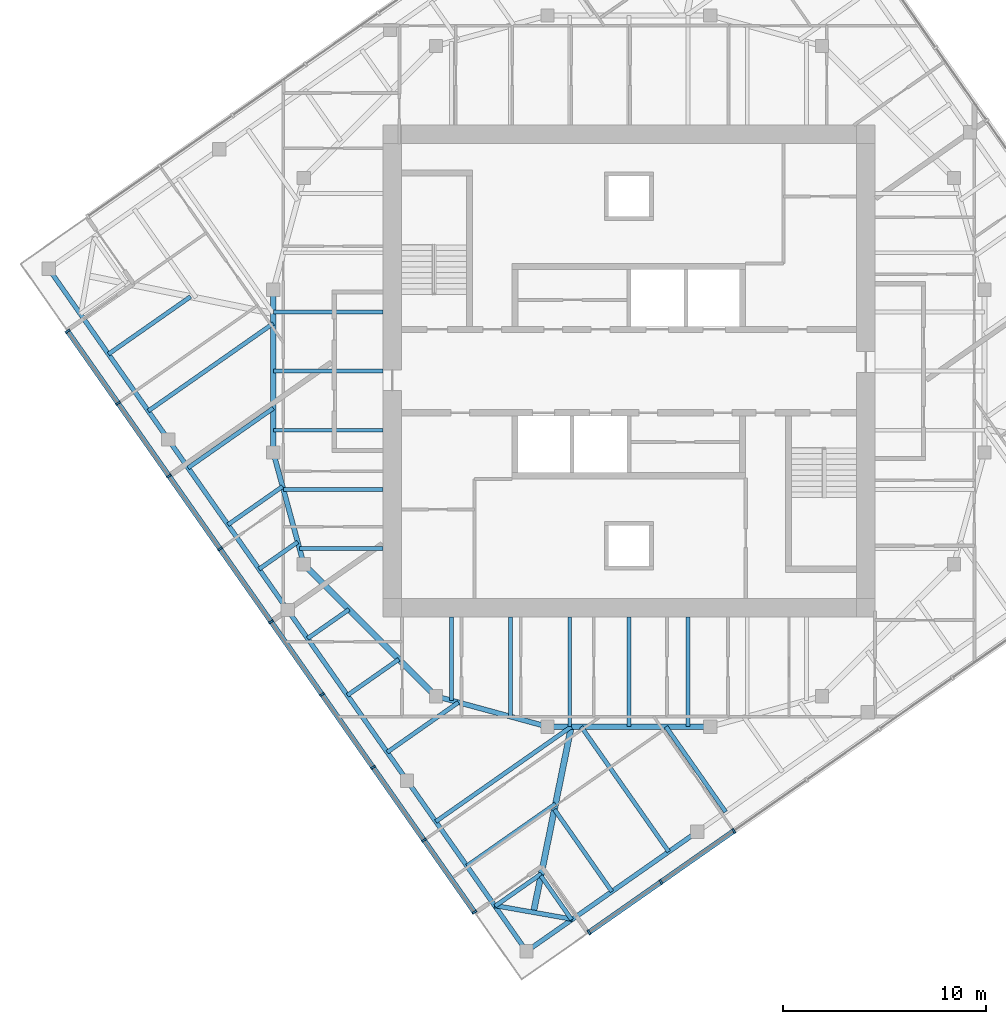
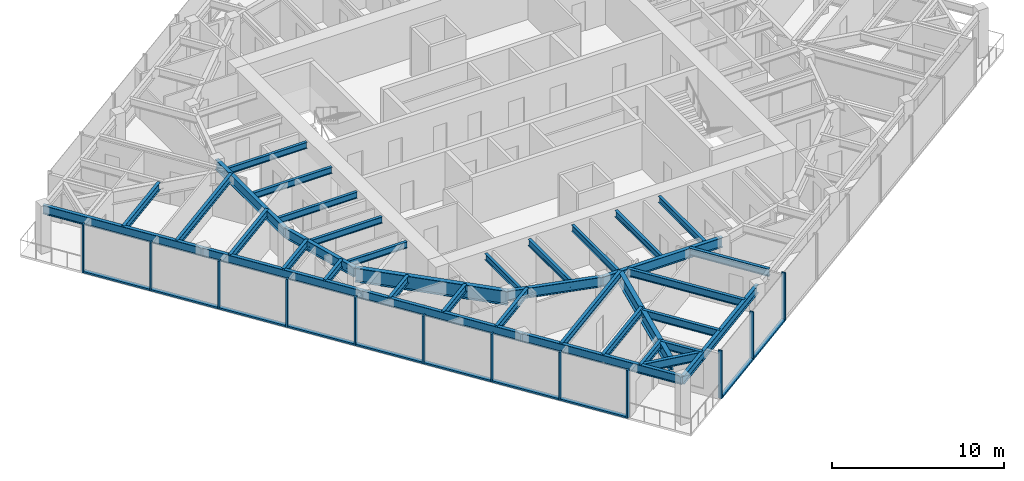
# One storey, part 2 of 12: 37 beams, 22 members, 2 elements without a shape of their own.
"""IFC4 building model written with IfcOpenShell, lengths in metres."""

from ifc_helpers import new_model, si_unit, direction, frame, origin, origin_2d, place, context, subcontext, project, spatial, rectangle, i_section, extrude, material, material_profile, profile_set, type_object, element, aggregate, save


model = new_model("IFC4")

# Units and contexts
model_context = context("Model", 3, precision=1e-05, world=origin(), true_north=direction((0.0, 1.0)))
body_context = subcontext(model_context, "Body", "Model", "MODEL_VIEW")
ifc_project = project(units=[si_unit("LENGTHUNIT", "METRE"), si_unit("AREAUNIT", "SQUARE_METRE"), si_unit("VOLUMEUNIT", "CUBIC_METRE"), si_unit("PLANEANGLEUNIT", "RADIAN"), si_unit("MASSUNIT", "GRAM", prefix="KILO")], contexts=[model_context])

# Site, building, storey
site_placement = place(None, origin())
site = spatial("IfcSite", under=ifc_project, at=site_placement, CompositionType="ELEMENT")
building_placement = place(site_placement, origin())
building = spatial("IfcBuilding", under=site, at=building_placement, Name="Torsade Residences", CompositionType="ELEMENT")
storey_placement = place(building_placement, frame((0.0, 0.0, 247.199951171875)))
storey = spatial("IfcBuildingStorey", under=building, at=storey_placement, Name="L68", CompositionType="ELEMENT", Elevation=247.199951171875)

# Beams
ifc_material_1 = material(Name="Steel grade 300", Category="steel")
ifc_material_profile_1 = material_profile(ifc_material_1, i_section(OverallWidth=0.300048828125, OverallDepth=0.89990234375, WebThickness=0.011962890625, FlangeThickness=0.02490234375, at=origin_2d()), Name="900WB175")
ifc_profile_set_1 = profile_set([ifc_material_profile_1], Name="Steel grade 300")
beam_type_1 = type_object("IfcBeamType", Name="CORNER GIRDER 900WB175", PredefinedType="BEAM", material=ifc_profile_set_1)
beam_1_placement = place(storey_placement, frame((35.303466796875, 3.364013671875, 2.800048828125), z_axis=(0.199584461589, 0.979880626756, 0.0), x_axis=(-0.979880626756, 0.199584461589, 0.0)))
element("IfcBeam", 1, at=beam_1_placement, inside=storey, type_object=beam_type_1, Name="Corner girder 01 L69", PredefinedType="BEAM", context=body_context, shape_type="SweptSolid", body=[
    extrude(i_section(OverallWidth=0.300048828125, OverallDepth=0.89990234375, WebThickness=0.011962890625, FlangeThickness=0.02490234375, at=origin_2d()), origin(), (0.0, 0.0, 1.0), 9.323486328125),
])
ifc_material_2 = material(Name="Steel grade 300", Category="steel")
ifc_material_profile_2 = material_profile(ifc_material_2, i_section(OverallWidth=0.22802734375, OverallDepth=0.60205078125, WebThickness=0.010498046875, FlangeThickness=0.014892578125, FilletRadius=0.013916015625, at=origin_2d()), Name="610UB101")
ifc_profile_set_2 = profile_set([ifc_material_profile_2], Name="Steel grade 300")
beam_type_2 = type_object("IfcBeamType", Name="CORNER TRIMMER 610UB101", PredefinedType="BEAM", material=ifc_profile_set_2)
beam_2_placement = place(storey_placement, frame((37.21826171875, 3.0263671875, 2.948974609375), z_axis=(-0.984808196894, 0.173645660267, 0.0), x_axis=(-0.173645660267, -0.984808196894, 0.0)))
element("IfcBeam", 2, at=beam_2_placement, inside=storey, type_object=beam_type_2, Name="Corner trimmer 01 L69", PredefinedType="BEAM", context=body_context, shape_type="SweptSolid", body=[
    extrude(i_section(OverallWidth=0.22802734375, OverallDepth=0.60205078125, WebThickness=0.010498046875, FlangeThickness=0.014892578125, FilletRadius=0.013916015625, at=origin_2d()), origin(), (0.0, 0.0, 1.0), 3.888916015625),
])
ifc_material_3 = material(Name="Steel grade 300", Category="steel")
ifc_material_profile_3 = material_profile(ifc_material_3, i_section(OverallWidth=0.22900390625, OverallDepth=0.612060546875, WebThickness=0.011962890625, FlangeThickness=0.01953125, FilletRadius=0.013916015625, at=origin_2d()), Name="610UB125")
ifc_profile_set_3 = profile_set([ifc_material_profile_3], Name="Steel grade 300")
beam_type_3 = type_object("IfcBeamType", Name="EDGE BEAM 610UB125", PredefinedType="SPANDREL", material=ifc_profile_set_3)
for number, where, z_axis, x_axis, name in (
    (3, (34.9658203125, 1.448974609375, 2.944091796875), (0.819150225126, 0.573579034377, 0.0), (-0.573579034377, 0.819150225126, 0.0), "Edge beam 01 L69"),
    (4, (11.448974609375, 35.0341796875, 2.944091796875), (0.573579034377, -0.819150225126, 0.0), (0.819150225126, 0.573579034377, 0.0), "Edge beam 13 L69"),
    (5, (17.328125, 26.637939453125, 2.944091796875), (0.573579034377, -0.819150225126, 0.0), (0.819150225126, 0.573579034377, 0.0), "Edge beam 14 L69"),
    (6, (23.207275390625, 18.24169921875, 2.944091796875), (0.573579034377, -0.819150225126, 0.0), (0.819150225126, 0.573579034377, 0.0), "Edge beam 15 L69"),
):
    element("IfcBeam", number, at=place(storey_placement, frame(where, z_axis=z_axis, x_axis=x_axis)), inside=storey, type_object=beam_type_3, Name=name, PredefinedType="SPANDREL", context=body_context, shape_type="SweptSolid", body=[
        extrude(i_section(OverallWidth=0.22900390625, OverallDepth=0.612060546875, WebThickness=0.011962890625, FlangeThickness=0.01953125, FilletRadius=0.013916015625, at=origin_2d()), origin(), (0.0, 0.0, 1.0), 10.25),
    ])
beam_3_placement = place(storey_placement, frame((29.08642578125, 9.845458984375, 2.944091796875), z_axis=(0.573583825578, -0.819146870247, 0.0), x_axis=(0.819146870247, 0.573583825578, 0.0)))
element("IfcBeam", 7, at=beam_3_placement, inside=storey, type_object=beam_type_3, Name="Edge beam 16 L69", PredefinedType="SPANDREL", context=body_context, shape_type="SweptSolid", body=[
    extrude(i_section(OverallWidth=0.22900390625, OverallDepth=0.612060546875, WebThickness=0.011962890625, FlangeThickness=0.01953125, FilletRadius=0.013916015625, at=origin_2d()), origin(), (0.0, 0.0, 1.0), 10.250244140625),
])

# Curtain wall, members
ifc_material_4 = material(Name="Aluminium and glass", Category="aluminium")
curtain_wall_type = type_object("IfcCurtainWallType", Name="FRITTED GLASS CURTAIN WALL HIGH ZONE", PredefinedType="NOTDEFINED", material=ifc_material_4)
curtain_wall_1_placement = place(storey_placement, origin())
curtain_wall_1 = element("IfcCurtainWall", 8, at=curtain_wall_1_placement, inside=storey, type_object=curtain_wall_type, Name="Curtain wall L68 face 1", PredefinedType="NOTDEFINED")
ifc_material_5 = material(Name="Aluminium mullion", Category="aluminium")
ifc_material_profile_4 = material_profile(ifc_material_5, rectangle(XDim=0.25, YDim=0.10009765625, at=origin_2d()), Name="HIGH ZONE CURTAIN WALL MULLION 250x100")
ifc_profile_set_4 = profile_set([ifc_material_profile_4], Name="Aluminium mullion")
member_type_1 = type_object("IfcMemberType", Name="HIGH ZONE CURTAIN WALL MULLION 250x100", PredefinedType="MULLION", material=ifc_profile_set_4)
member_1_placement = place(storey_placement, frame((38.03759765625, 2.37939453125, 0.0), z_axis=(0.0, 0.0, 1.0), x_axis=(-0.573576457682, 0.819152029353, 0.0)))
member_1 = element("IfcMember", 9, at=member_1_placement, type_object=member_type_1, Name="Mullion 1", PredefinedType="MULLION", context=body_context, shape_type="SweptSolid", body=[
    extrude(rectangle(XDim=0.25, YDim=0.10009765625, at=origin_2d()), origin(), (0.0, 0.0, 1.0), 3.400146484375),
])
member_2_placement = place(storey_placement, frame((41.58056640625, 4.860107421875, 0.0), z_axis=(0.0, 0.0, 1.0), x_axis=(-0.573576457682, 0.819152029353, 0.0)))
member_2 = element("IfcMember", 10, at=member_2_placement, type_object=member_type_1, Name="Mullion 2", PredefinedType="MULLION", context=body_context, shape_type="SweptSolid", body=[
    extrude(rectangle(XDim=0.25, YDim=0.10009765625, at=origin_2d()), origin(), (0.0, 0.0, 1.0), 3.400146484375),
])
member_3_placement = place(storey_placement, frame((45.164306640625, 7.369384765625, 0.0), z_axis=(0.0, 0.0, 1.0), x_axis=(-0.573576457682, 0.819152029353, 0.0)))
member_3 = element("IfcMember", 11, at=member_3_placement, type_object=member_type_1, Name="Mullion 3", PredefinedType="MULLION", context=body_context, shape_type="SweptSolid", body=[
    extrude(rectangle(XDim=0.25, YDim=0.10009765625, at=origin_2d()), origin(), (0.0, 0.0, 1.0), 3.400146484375),
])

curtain_wall_2_placement = place(storey_placement, origin())
curtain_wall_2 = element("IfcCurtainWall", 12, at=curtain_wall_2_placement, inside=storey, type_object=curtain_wall_type, Name="Curtain wall L68 face 10", PredefinedType="NOTDEFINED")
member_4_placement = place(storey_placement, frame((12.37939453125, 31.96240234375, 0.0), z_axis=(0.0, 0.0, 1.0), x_axis=(0.819152029353, 0.573576457682, 0.0)))
member_4 = element("IfcMember", 13, at=member_4_placement, type_object=member_type_1, Name="Mullion 1", PredefinedType="MULLION", context=body_context, shape_type="SweptSolid", body=[
    extrude(rectangle(XDim=0.25, YDim=0.10009765625, at=origin_2d()), origin(), (0.0, 0.0, 1.0), 3.400146484375),
])
member_5_placement = place(storey_placement, frame((14.860107421875, 28.41943359375, 0.0), z_axis=(0.0, 0.0, 1.0), x_axis=(0.819152029353, 0.573576457682, 0.0)))
member_5 = element("IfcMember", 14, at=member_5_placement, type_object=member_type_1, Name="Mullion 2", PredefinedType="MULLION", context=body_context, shape_type="SweptSolid", body=[
    extrude(rectangle(XDim=0.25, YDim=0.10009765625, at=origin_2d()), origin(), (0.0, 0.0, 1.0), 3.400146484375),
])
member_6_placement = place(storey_placement, frame((17.369384765625, 24.835693359375, 0.0), z_axis=(0.0, 0.0, 1.0), x_axis=(0.819152029353, 0.573576457682, 0.0)))
member_6 = element("IfcMember", 15, at=member_6_placement, type_object=member_type_1, Name="Mullion 3", PredefinedType="MULLION", context=body_context, shape_type="SweptSolid", body=[
    extrude(rectangle(XDim=0.25, YDim=0.10009765625, at=origin_2d()), origin(), (0.0, 0.0, 1.0), 3.400146484375),
])
member_7_placement = place(storey_placement, frame((19.87890625, 21.251953125, 0.0), z_axis=(0.0, 0.0, 1.0), x_axis=(0.819152029353, 0.573576457682, 0.0)))
member_7 = element("IfcMember", 16, at=member_7_placement, type_object=member_type_1, Name="Mullion 4", PredefinedType="MULLION", context=body_context, shape_type="SweptSolid", body=[
    extrude(rectangle(XDim=0.25, YDim=0.10009765625, at=origin_2d()), origin(), (0.0, 0.0, 1.0), 3.400146484375),
])
member_8_placement = place(storey_placement, frame((22.38818359375, 17.668212890625, 0.0), z_axis=(0.0, 0.0, 1.0), x_axis=(0.819152029353, 0.573576457682, 0.0)))
member_8 = element("IfcMember", 17, at=member_8_placement, type_object=member_type_1, Name="Mullion 5", PredefinedType="MULLION", context=body_context, shape_type="SweptSolid", body=[
    extrude(rectangle(XDim=0.25, YDim=0.10009765625, at=origin_2d()), origin(), (0.0, 0.0, 1.0), 3.400146484375),
])
member_9_placement = place(storey_placement, frame((24.897705078125, 14.084228515625, 0.0), z_axis=(0.0, 0.0, 1.0), x_axis=(0.819152029353, 0.573576457682, 0.0)))
member_9 = element("IfcMember", 18, at=member_9_placement, type_object=member_type_1, Name="Mullion 6", PredefinedType="MULLION", context=body_context, shape_type="SweptSolid", body=[
    extrude(rectangle(XDim=0.25, YDim=0.10009765625, at=origin_2d()), origin(), (0.0, 0.0, 1.0), 3.400146484375),
])
member_10_placement = place(storey_placement, frame((27.406982421875, 10.50048828125, 0.0), z_axis=(0.0, 0.0, 1.0), x_axis=(0.819152029353, 0.573576457682, 0.0)))
member_10 = element("IfcMember", 19, at=member_10_placement, type_object=member_type_1, Name="Mullion 7", PredefinedType="MULLION", context=body_context, shape_type="SweptSolid", body=[
    extrude(rectangle(XDim=0.25, YDim=0.10009765625, at=origin_2d()), origin(), (0.0, 0.0, 1.0), 3.400146484375),
])
member_11_placement = place(storey_placement, frame((29.91650390625, 6.916748046875, 0.0), z_axis=(0.0, 0.0, 1.0), x_axis=(0.819152029353, 0.573576457682, 0.0)))
member_11 = element("IfcMember", 20, at=member_11_placement, type_object=member_type_1, Name="Mullion 8", PredefinedType="MULLION", context=body_context, shape_type="SweptSolid", body=[
    extrude(rectangle(XDim=0.25, YDim=0.10009765625, at=origin_2d()), origin(), (0.0, 0.0, 1.0), 3.400146484375),
])
member_12_placement = place(storey_placement, frame((32.397216796875, 3.3740234375, 0.0), z_axis=(0.0, 0.0, 1.0), x_axis=(0.819152029353, 0.573576457682, 0.0)))
member_12 = element("IfcMember", 21, at=member_12_placement, type_object=member_type_1, Name="Mullion 9", PredefinedType="MULLION", context=body_context, shape_type="SweptSolid", body=[
    extrude(rectangle(XDim=0.25, YDim=0.10009765625, at=origin_2d()), origin(), (0.0, 0.0, 1.0), 3.400146484375),
])

# Member
ifc_material_6 = material(Name="Aluminium transom", Category="aluminium")
ifc_material_profile_5 = material_profile(ifc_material_6, rectangle(XDim=0.25, YDim=0.1201171875, at=origin_2d()), Name="HIGH ZONE CURTAIN WALL TRANSOM 250x120")
ifc_profile_set_5 = profile_set([ifc_material_profile_5], Name="Aluminium transom")
member_type_2 = type_object("IfcMemberType", Name="HIGH ZONE CURTAIN WALL TRANSOM 250x120", PredefinedType="USERDEFINED", material=ifc_profile_set_5)
member_13_placement = place(storey_placement, frame((38.07861328125, 2.407958984375, 0.06005859375), z_axis=(0.819155901234, 0.573570928023, 0.0), x_axis=(-0.573570928023, 0.819155901234, 0.0)))
member_13 = element("IfcMember", 22, at=member_13_placement, type_object=member_type_2, Name="Transom 1.1", ObjectType="TRANSOM", PredefinedType="USERDEFINED", context=body_context, shape_type="SweptSolid", body=[
    extrude(rectangle(XDim=0.25, YDim=0.1201171875, at=origin_2d()), origin(), (0.0, 0.0, 1.0), 4.22509765625),
])

member_14_placement = place(storey_placement, frame((41.62158203125, 4.888671875, 0.06005859375), z_axis=(0.819127269283, 0.573611817101, 0.0), x_axis=(-0.573611817101, 0.819127269283, 0.0)))
member_14 = element("IfcMember", 23, at=member_14_placement, type_object=member_type_2, Name="Transom 2.1", ObjectType="TRANSOM", PredefinedType="USERDEFINED", context=body_context, shape_type="SweptSolid", body=[
    extrude(rectangle(XDim=0.25, YDim=0.1201171875, at=origin_2d()), origin(), (0.0, 0.0, 1.0), 4.27490234375),
])

aggregate(curtain_wall_1, [member_1, member_2, member_3, member_13, member_14])

member_15_placement = place(storey_placement, frame((12.407958984375, 31.92138671875, 0.06005859375), z_axis=(0.573570928023, -0.819155901234, 0.0), x_axis=(0.819155901234, 0.573570928023, 0.0)))
member_15 = element("IfcMember", 24, at=member_15_placement, type_object=member_type_2, Name="Transom 1.1", ObjectType="TRANSOM", PredefinedType="USERDEFINED", context=body_context, shape_type="SweptSolid", body=[
    extrude(rectangle(XDim=0.25, YDim=0.1201171875, at=origin_2d()), origin(), (0.0, 0.0, 1.0), 4.22509765625),
])

member_16_placement = place(storey_placement, frame((14.888671875, 28.37841796875, 0.06005859375), z_axis=(0.573611817101, -0.819127269283, 0.0), x_axis=(0.819127269283, 0.573611817101, 0.0)))
member_16 = element("IfcMember", 25, at=member_16_placement, type_object=member_type_2, Name="Transom 2.1", ObjectType="TRANSOM", PredefinedType="USERDEFINED", context=body_context, shape_type="SweptSolid", body=[
    extrude(rectangle(XDim=0.25, YDim=0.1201171875, at=origin_2d()), origin(), (0.0, 0.0, 1.0), 4.27490234375),
])

member_17_placement = place(storey_placement, frame((17.398193359375, 24.794677734375, 0.06005859375), z_axis=(0.573573496219, -0.819154102984, 0.0), x_axis=(0.819154102984, 0.573573496219, 0.0)))
member_17 = element("IfcMember", 26, at=member_17_placement, type_object=member_type_2, Name="Transom 3.1", ObjectType="TRANSOM", PredefinedType="USERDEFINED", context=body_context, shape_type="SweptSolid", body=[
    extrude(rectangle(XDim=0.25, YDim=0.1201171875, at=origin_2d()), origin(), (0.0, 0.0, 1.0), 4.27490234375),
])

member_18_placement = place(storey_placement, frame((19.907470703125, 21.2109375, 0.06005859375), z_axis=(0.57358498433, -0.819146058863, 0.0), x_axis=(0.819146058863, 0.57358498433, 0.0)))
member_18 = element("IfcMember", 27, at=member_18_placement, type_object=member_type_2, Name="Transom 4.1", ObjectType="TRANSOM", PredefinedType="USERDEFINED", context=body_context, shape_type="SweptSolid", body=[
    extrude(rectangle(XDim=0.25, YDim=0.1201171875, at=origin_2d()), origin(), (0.0, 0.0, 1.0), 4.275146484375),
])

member_19_placement = place(storey_placement, frame((22.4169921875, 17.627197265625, 0.06005859375), z_axis=(0.573546663483, -0.81917289067, 0.0), x_axis=(0.81917289067, 0.573546663483, 0.0)))
member_19 = element("IfcMember", 28, at=member_19_placement, type_object=member_type_2, Name="Transom 5.1", ObjectType="TRANSOM", PredefinedType="USERDEFINED", context=body_context, shape_type="SweptSolid", body=[
    extrude(rectangle(XDim=0.25, YDim=0.1201171875, at=origin_2d()), origin(), (0.0, 0.0, 1.0), 4.27490234375),
])

member_20_placement = place(storey_placement, frame((24.92626953125, 14.04345703125, 0.06005859375), z_axis=(0.57358498433, -0.819146058863, 0.0), x_axis=(0.819146058863, 0.57358498433, 0.0)))
member_20 = element("IfcMember", 29, at=member_20_placement, type_object=member_type_2, Name="Transom 6.1", ObjectType="TRANSOM", PredefinedType="USERDEFINED", context=body_context, shape_type="SweptSolid", body=[
    extrude(rectangle(XDim=0.25, YDim=0.1201171875, at=origin_2d()), origin(), (0.0, 0.0, 1.0), 4.275146484375),
])

member_21_placement = place(storey_placement, frame((27.435791015625, 10.45947265625, 0.06005859375), z_axis=(0.573573496219, -0.819154102984, 0.0), x_axis=(0.819154102984, 0.573573496219, 0.0)))
member_21 = element("IfcMember", 30, at=member_21_placement, type_object=member_type_2, Name="Transom 7.1", ObjectType="TRANSOM", PredefinedType="USERDEFINED", context=body_context, shape_type="SweptSolid", body=[
    extrude(rectangle(XDim=0.25, YDim=0.1201171875, at=origin_2d()), origin(), (0.0, 0.0, 1.0), 4.27490234375),
])

member_22_placement = place(storey_placement, frame((29.945068359375, 6.875732421875, 0.06005859375), z_axis=(0.573570928023, -0.819155901234, 0.0), x_axis=(0.819155901234, 0.573570928023, 0.0)))
member_22 = element("IfcMember", 31, at=member_22_placement, type_object=member_type_2, Name="Transom 8.1", ObjectType="TRANSOM", PredefinedType="USERDEFINED", context=body_context, shape_type="SweptSolid", body=[
    extrude(rectangle(XDim=0.25, YDim=0.1201171875, at=origin_2d()), origin(), (0.0, 0.0, 1.0), 4.22509765625),
])

aggregate(curtain_wall_2, [member_4, member_5, member_6, member_7, member_8, member_9, member_10, member_11, member_12, member_15, member_16, member_17, member_18, member_19, member_20, member_21, member_22])

# Beams
ifc_material_7 = material(Name="Steel grade 300", Category="steel")
ifc_material_profile_6 = material_profile(ifc_material_7, i_section(OverallWidth=0.18994140625, OverallDepth=0.4541015625, WebThickness=0.008544921875, FlangeThickness=0.0126953125, FilletRadius=0.011474609375, at=origin_2d()), Name="460UB67.1")
ifc_profile_set_6 = profile_set([ifc_material_profile_6], Name="Steel grade 300")
beam_type_4 = type_object("IfcBeamType", Name="INNER FLOOR BEAM 460UB67.1", PredefinedType="JOIST", material=ifc_profile_set_6)
for number, where, z_axis, x_axis, name in (
    (32, (42.91259765625, 17.89990234375, 3.02294921875), (0.0, -1.0, 0.0), (1.0, 0.0, 0.0), "Inner floor beam IS03 L69"),
    (33, (40.0, 17.89990234375, 3.02294921875), (0.0, -1.0, 0.0), (1.0, 0.0, 0.0), "Inner floor beam IS04 L69"),
    (34, (37.08740234375, 17.89990234375, 3.02294921875), (0.0, -1.0, 0.0), (1.0, 0.0, 0.0), "Inner floor beam IS05 L69"),
):
    element("IfcBeam", number, at=place(storey_placement, frame(where, z_axis=z_axis, x_axis=x_axis)), inside=storey, type_object=beam_type_4, Name=name, PredefinedType="JOIST", context=body_context, shape_type="SweptSolid", body=[
        extrude(i_section(OverallWidth=0.18994140625, OverallDepth=0.4541015625, WebThickness=0.008544921875, FlangeThickness=0.0126953125, FilletRadius=0.011474609375, at=origin_2d()), origin(), (0.0, 0.0, 1.0), 5.39990234375),
    ])
beam_4_placement = place(storey_placement, frame((34.175048828125, 17.89990234375, 3.02294921875), z_axis=(0.0, -1.0, 0.0), x_axis=(1.0, 0.0, 0.0)))
element("IfcBeam", 35, at=beam_4_placement, inside=storey, type_object=beam_type_4, Name="Inner floor beam IS06 L69", PredefinedType="JOIST", context=body_context, shape_type="SweptSolid", body=[
    extrude(i_section(OverallWidth=0.18994140625, OverallDepth=0.4541015625, WebThickness=0.008544921875, FlangeThickness=0.0126953125, FilletRadius=0.011474609375, at=origin_2d()), origin(), (0.0, 0.0, 1.0), 4.902099609375),
])
beam_5_placement = place(storey_placement, frame((31.262451171875, 17.89990234375, 3.02294921875), z_axis=(0.0, -1.0, 0.0), x_axis=(1.0, 0.0, 0.0)))
element("IfcBeam", 36, at=beam_5_placement, inside=storey, type_object=beam_type_4, Name="Inner floor beam IS07 L69", PredefinedType="JOIST", context=body_context, shape_type="SweptSolid", body=[
    extrude(i_section(OverallWidth=0.18994140625, OverallDepth=0.4541015625, WebThickness=0.008544921875, FlangeThickness=0.0126953125, FilletRadius=0.011474609375, at=origin_2d()), origin(), (0.0, 0.0, 1.0), 4.10791015625),
])
for number, where, z_axis, x_axis, name in (
    (37, (27.89990234375, 32.91259765625, 3.02294921875), (-1.0, 0.0, 0.0), (0.0, -1.0, 0.0), "Inner floor beam IW03 L69"),
    (38, (27.89990234375, 30.0, 3.02294921875), (-1.0, 0.0, 0.0), (0.0, -1.0, 0.0), "Inner floor beam IW04 L69"),
    (39, (27.89990234375, 27.08740234375, 3.02294921875), (-1.0, 0.0, 0.0), (0.0, -1.0, 0.0), "Inner floor beam IW05 L69"),
):
    element("IfcBeam", number, at=place(storey_placement, frame(where, z_axis=z_axis, x_axis=x_axis)), inside=storey, type_object=beam_type_4, Name=name, PredefinedType="JOIST", context=body_context, shape_type="SweptSolid", body=[
        extrude(i_section(OverallWidth=0.18994140625, OverallDepth=0.4541015625, WebThickness=0.008544921875, FlangeThickness=0.0126953125, FilletRadius=0.011474609375, at=origin_2d()), origin(), (0.0, 0.0, 1.0), 5.39990234375),
    ])
beam_6_placement = place(storey_placement, frame((27.89990234375, 24.175048828125, 3.02294921875), z_axis=(-1.0, 0.0, 0.0), x_axis=(0.0, -1.0, 0.0)))
element("IfcBeam", 40, at=beam_6_placement, inside=storey, type_object=beam_type_4, Name="Inner floor beam IW06 L69", PredefinedType="JOIST", context=body_context, shape_type="SweptSolid", body=[
    extrude(i_section(OverallWidth=0.18994140625, OverallDepth=0.4541015625, WebThickness=0.008544921875, FlangeThickness=0.0126953125, FilletRadius=0.011474609375, at=origin_2d()), origin(), (0.0, 0.0, 1.0), 4.902099609375),
])
beam_7_placement = place(storey_placement, frame((27.89990234375, 21.262451171875, 3.02294921875), z_axis=(-1.0, 0.0, 0.0), x_axis=(0.0, -1.0, 0.0)))
element("IfcBeam", 41, at=beam_7_placement, inside=storey, type_object=beam_type_4, Name="Inner floor beam IW07 L69", PredefinedType="JOIST", context=body_context, shape_type="SweptSolid", body=[
    extrude(i_section(OverallWidth=0.18994140625, OverallDepth=0.4541015625, WebThickness=0.008544921875, FlangeThickness=0.0126953125, FilletRadius=0.011474609375, at=origin_2d()), origin(), (0.0, 0.0, 1.0), 4.10791015625),
])
ifc_material_8 = material(Name="Steel grade 300", Category="steel")
ifc_material_profile_7 = material_profile(ifc_material_8, i_section(OverallWidth=0.300048828125, OverallDepth=1.0, WebThickness=0.01611328125, FlangeThickness=0.028076171875, at=origin_2d()), Name="1000WB215")
ifc_profile_set_7 = profile_set([ifc_material_profile_7], Name="Steel grade 300")
beam_type_5 = type_object("IfcBeamType", Name="RING CORNER GIRDER 1000WB215", PredefinedType="BEAM", material=ifc_profile_set_7)
beam_8_placement = place(storey_placement, frame((24.0, 20.5, 2.75), z_axis=(0.707106781187, -0.707106781187, 0.0), x_axis=(0.707106781187, 0.707106781187, 0.0)))
element("IfcBeam", 42, at=beam_8_placement, inside=storey, type_object=beam_type_5, Name="Ring girder IR11 L69", PredefinedType="BEAM", context=body_context, shape_type="SweptSolid", body=[
    extrude(i_section(OverallWidth=0.300048828125, OverallDepth=1.0, WebThickness=0.01611328125, FlangeThickness=0.028076171875, at=origin_2d()), origin(), (0.0, 0.0, 1.0), 9.1923828125),
])
ifc_material_9 = material(Name="Steel grade 300", Category="steel")
ifc_material_profile_8 = material_profile(ifc_material_9, i_section(OverallWidth=0.25, OverallDepth=0.699951171875, WebThickness=0.010009765625, FlangeThickness=0.02001953125, at=origin_2d()), Name="700WB130")
ifc_profile_set_8 = profile_set([ifc_material_profile_8], Name="Steel grade 300")
beam_type_6 = type_object("IfcBeamType", Name="RING GIRDER 700WB130", PredefinedType="BEAM", material=ifc_profile_set_8)
beam_9_placement = place(storey_placement, frame((22.5, 34.0, 2.900146484375), z_axis=(0.0, -1.0, 0.0), x_axis=(1.0, 0.0, 0.0)))
element("IfcBeam", 43, at=beam_9_placement, inside=storey, type_object=beam_type_6, Name="Ring girder IR09 L69", PredefinedType="BEAM", context=body_context, shape_type="SweptSolid", body=[
    extrude(i_section(OverallWidth=0.25, OverallDepth=0.699951171875, WebThickness=0.010009765625, FlangeThickness=0.02001953125, at=origin_2d()), origin(), (0.0, 0.0, 1.0), 8.0),
])
for number, where, z_axis, x_axis, name in (
    (44, (22.5, 26.0, 2.900146484375), (0.263117405792, -0.964763821238, 0.0), (0.964763821238, 0.263117405792, 0.0), "Ring girder IR10 L69"),
    (45, (30.5, 14.0, 2.900146484375), (0.964763821238, -0.263117405792, 0.0), (0.263117405792, 0.964763821238, 0.0), "Ring girder IR12 L69"),
):
    element("IfcBeam", number, at=place(storey_placement, frame(where, z_axis=z_axis, x_axis=x_axis)), inside=storey, type_object=beam_type_6, Name=name, PredefinedType="BEAM", context=body_context, shape_type="SweptSolid", body=[
        extrude(i_section(OverallWidth=0.25, OverallDepth=0.699951171875, WebThickness=0.010009765625, FlangeThickness=0.02001953125, at=origin_2d()), origin(), (0.0, 0.0, 1.0), 5.700927734375),
    ])
beam_10_placement = place(storey_placement, frame((36.0, 12.5, 2.900146484375), z_axis=(1.0, 0.0, 0.0), x_axis=(0.0, 1.0, 0.0)))
element("IfcBeam", 46, at=beam_10_placement, inside=storey, type_object=beam_type_6, Name="Ring girder IR13 L69", PredefinedType="BEAM", context=body_context, shape_type="SweptSolid", body=[
    extrude(i_section(OverallWidth=0.25, OverallDepth=0.699951171875, WebThickness=0.010009765625, FlangeThickness=0.02001953125, at=origin_2d()), origin(), (0.0, 0.0, 1.0), 8.0),
])
ifc_material_10 = material(Name="Steel grade 300", Category="steel")
ifc_material_profile_9 = material_profile(ifc_material_10, i_section(OverallWidth=0.208984375, OverallDepth=0.532958984375, WebThickness=0.01025390625, FlangeThickness=0.015625, FilletRadius=0.013916015625, at=origin_2d()), Name="530UB92.4")
ifc_profile_set_9 = profile_set([ifc_material_profile_9], Name="Steel grade 300")
beam_type_7 = type_object("IfcBeamType", Name="SECONDARY BEAM 530UB92.4", PredefinedType="JOIST", material=ifc_profile_set_9)
beam_11_placement = place(storey_placement, frame((37.184326171875, 3.00244140625, 2.983642578125), z_axis=(-0.573592685254, 0.819140666445, 0.0), x_axis=(-0.819140666445, -0.573592685254, 0.0)))
element("IfcBeam", 47, at=beam_11_placement, inside=storey, type_object=beam_type_7, Name="Floor beam FS01 L69", PredefinedType="JOIST", context=body_context, shape_type="SweptSolid", body=[
    extrude(i_section(OverallWidth=0.208984375, OverallDepth=0.532958984375, WebThickness=0.01025390625, FlangeThickness=0.015625, FilletRadius=0.013916015625, at=origin_2d()), origin(), (0.0, 0.0, 1.0), 2.639892578125),
])
beam_12_placement = place(storey_placement, frame((39.163818359375, 4.388671875, 2.983642578125), z_axis=(-0.573575295634, 0.819152843027, 0.0), x_axis=(-0.819152843027, -0.573575295634, 0.0)))
element("IfcBeam", 48, at=beam_12_placement, inside=storey, type_object=beam_type_7, Name="Floor beam FS02 L69", PredefinedType="JOIST", context=body_context, shape_type="SweptSolid", body=[
    extrude(i_section(OverallWidth=0.208984375, OverallDepth=0.532958984375, WebThickness=0.01025390625, FlangeThickness=0.015625, FilletRadius=0.013916015625, at=origin_2d()), origin(), (0.0, 0.0, 1.0), 4.931884765625),
])
beam_13_placement = place(storey_placement, frame((41.962646484375, 6.348388671875, 2.983642578125), z_axis=(-0.573573614851, 0.819154019917, 0.0), x_axis=(-0.819154019917, -0.573573614851, 0.0)))
element("IfcBeam", 49, at=beam_13_placement, inside=storey, type_object=beam_type_7, Name="Floor beam FS03 L69", PredefinedType="JOIST", context=body_context, shape_type="SweptSolid", body=[
    extrude(i_section(OverallWidth=0.208984375, OverallDepth=0.532958984375, WebThickness=0.01025390625, FlangeThickness=0.015625, FilletRadius=0.013916015625, at=origin_2d()), origin(), (0.0, 0.0, 1.0), 7.509765625),
])
beam_14_placement = place(storey_placement, frame((44.761474609375, 8.30810546875, 2.983642578125), z_axis=(-0.573590411882, 0.819142258339, 0.0), x_axis=(-0.819142258339, -0.573590411882, 0.0)))
element("IfcBeam", 50, at=beam_14_placement, inside=storey, type_object=beam_type_7, Name="Floor beam FS04 L69", PredefinedType="JOIST", context=body_context, shape_type="SweptSolid", body=[
    extrude(i_section(OverallWidth=0.208984375, OverallDepth=0.532958984375, WebThickness=0.01025390625, FlangeThickness=0.015625, FilletRadius=0.013916015625, at=origin_2d()), origin(), (0.0, 0.0, 1.0), 5.117431640625),
])
beam_15_placement = place(storey_placement, frame((14.388671875, 30.836181640625, 2.983642578125), z_axis=(0.819152843027, 0.573575295634, 0.0), x_axis=(-0.573575295634, 0.819152843027, 0.0)))
element("IfcBeam", 51, at=beam_15_placement, inside=storey, type_object=beam_type_7, Name="Floor beam FW02 L69", PredefinedType="JOIST", context=body_context, shape_type="SweptSolid", body=[
    extrude(i_section(OverallWidth=0.208984375, OverallDepth=0.532958984375, WebThickness=0.01025390625, FlangeThickness=0.015625, FilletRadius=0.013916015625, at=origin_2d()), origin(), (0.0, 0.0, 1.0), 4.931884765625),
])
beam_16_placement = place(storey_placement, frame((16.348388671875, 28.037353515625, 2.983642578125), z_axis=(0.819154019917, 0.573573614851, 0.0), x_axis=(-0.573573614851, 0.819154019917, 0.0)))
element("IfcBeam", 52, at=beam_16_placement, inside=storey, type_object=beam_type_7, Name="Floor beam FW03 L69", PredefinedType="JOIST", context=body_context, shape_type="SweptSolid", body=[
    extrude(i_section(OverallWidth=0.208984375, OverallDepth=0.532958984375, WebThickness=0.01025390625, FlangeThickness=0.015625, FilletRadius=0.013916015625, at=origin_2d()), origin(), (0.0, 0.0, 1.0), 7.509765625),
])
beam_17_placement = place(storey_placement, frame((18.30810546875, 25.238525390625, 2.983642578125), z_axis=(0.819142258339, 0.573590411882, 0.0), x_axis=(-0.573590411882, 0.819142258339, 0.0)))
element("IfcBeam", 53, at=beam_17_placement, inside=storey, type_object=beam_type_7, Name="Floor beam FW04 L69", PredefinedType="JOIST", context=body_context, shape_type="SweptSolid", body=[
    extrude(i_section(OverallWidth=0.208984375, OverallDepth=0.532958984375, WebThickness=0.01025390625, FlangeThickness=0.015625, FilletRadius=0.013916015625, at=origin_2d()), origin(), (0.0, 0.0, 1.0), 5.117431640625),
])
beam_18_placement = place(storey_placement, frame((20.267822265625, 22.43994140625, 2.983642578125), z_axis=(0.819169032504, 0.573552173902, 0.0), x_axis=(-0.573552173902, 0.819169032504, 0.0)))
element("IfcBeam", 54, at=beam_18_placement, inside=storey, type_object=beam_type_7, Name="Floor beam FW05 L69", PredefinedType="JOIST", context=body_context, shape_type="SweptSolid", body=[
    extrude(i_section(OverallWidth=0.208984375, OverallDepth=0.532958984375, WebThickness=0.01025390625, FlangeThickness=0.015625, FilletRadius=0.013916015625, at=origin_2d()), origin(), (0.0, 0.0, 1.0), 3.283203125),
])
beam_19_placement = place(storey_placement, frame((21.79736328125, 20.25537109375, 2.983642578125), z_axis=(0.819157953557, 0.573567996949, 0.0), x_axis=(-0.573567996949, 0.819157953557, 0.0)))
element("IfcBeam", 55, at=beam_19_placement, inside=storey, type_object=beam_type_7, Name="Floor beam FW06 L69", PredefinedType="JOIST", context=body_context, shape_type="SweptSolid", body=[
    extrude(i_section(OverallWidth=0.208984375, OverallDepth=0.532958984375, WebThickness=0.01025390625, FlangeThickness=0.015625, FilletRadius=0.013916015625, at=origin_2d()), origin(), (0.0, 0.0, 1.0), 2.326171875),
])
beam_20_placement = place(storey_placement, frame((24.187255859375, 16.84228515625, 2.983642578125), z_axis=(0.819172078752, 0.573547823109, 0.0), x_axis=(-0.573547823109, 0.819172078752, 0.0)))
element("IfcBeam", 56, at=beam_20_placement, inside=storey, type_object=beam_type_7, Name="Floor beam FW07 L69", PredefinedType="JOIST", context=body_context, shape_type="SweptSolid", body=[
    extrude(i_section(OverallWidth=0.208984375, OverallDepth=0.532958984375, WebThickness=0.01025390625, FlangeThickness=0.015625, FilletRadius=0.013916015625, at=origin_2d()), origin(), (0.0, 0.0, 1.0), 2.491943359375),
])
beam_21_placement = place(storey_placement, frame((26.14697265625, 14.04345703125, 2.983642578125), z_axis=(0.819135534955, 0.573600013401, 0.0), x_axis=(-0.573600013401, 0.819135534955, 0.0)))
element("IfcBeam", 57, at=beam_21_placement, inside=storey, type_object=beam_type_7, Name="Floor beam FW08 L69", PredefinedType="JOIST", context=body_context, shape_type="SweptSolid", body=[
    extrude(i_section(OverallWidth=0.208984375, OverallDepth=0.532958984375, WebThickness=0.01025390625, FlangeThickness=0.015625, FilletRadius=0.013916015625, at=origin_2d()), origin(), (0.0, 0.0, 1.0), 3.09423828125),
])
beam_22_placement = place(storey_placement, frame((28.106689453125, 11.244873046875, 2.983642578125), z_axis=(0.819148759439, 0.573581127575, 0.0), x_axis=(-0.573581127575, 0.819148759439, 0.0)))
element("IfcBeam", 58, at=beam_22_placement, inside=storey, type_object=beam_type_7, Name="Floor beam FW09 L69", PredefinedType="JOIST", context=body_context, shape_type="SweptSolid", body=[
    extrude(i_section(OverallWidth=0.208984375, OverallDepth=0.532958984375, WebThickness=0.01025390625, FlangeThickness=0.015625, FilletRadius=0.013916015625, at=origin_2d()), origin(), (0.0, 0.0, 1.0), 4.276123046875),
])
beam_23_placement = place(storey_placement, frame((30.49658203125, 7.83154296875, 2.983642578125), z_axis=(0.819151588523, 0.573577087251, 0.0), x_axis=(-0.573577087251, 0.819151588523, 0.0)))
element("IfcBeam", 59, at=beam_23_placement, inside=storey, type_object=beam_type_7, Name="Floor beam FW10 L69", PredefinedType="JOIST", context=body_context, shape_type="SweptSolid", body=[
    extrude(i_section(OverallWidth=0.208984375, OverallDepth=0.532958984375, WebThickness=0.01025390625, FlangeThickness=0.015625, FilletRadius=0.013916015625, at=origin_2d()), origin(), (0.0, 0.0, 1.0), 8.13916015625),
])
beam_24_placement = place(storey_placement, frame((32.026123046875, 5.647216796875, 2.983642578125), z_axis=(0.819137197966, 0.573597638513, 0.0), x_axis=(-0.573597638513, 0.819137197966, 0.0)))
element("IfcBeam", 60, at=beam_24_placement, inside=storey, type_object=beam_type_7, Name="Floor beam FW11 L69", PredefinedType="JOIST", context=body_context, shape_type="SweptSolid", body=[
    extrude(i_section(OverallWidth=0.208984375, OverallDepth=0.532958984375, WebThickness=0.01025390625, FlangeThickness=0.015625, FilletRadius=0.013916015625, at=origin_2d()), origin(), (0.0, 0.0, 1.0), 5.328369140625),
])
beam_25_placement = place(storey_placement, frame((33.412353515625, 3.667724609375, 2.983642578125), z_axis=(0.819190669238, 0.573521270253, 0.0), x_axis=(-0.573521270253, 0.819190669238, 0.0)))
element("IfcBeam", 61, at=beam_25_placement, inside=storey, type_object=beam_type_7, Name="Floor beam FW12 L69", PredefinedType="JOIST", context=body_context, shape_type="SweptSolid", body=[
    extrude(i_section(OverallWidth=0.208984375, OverallDepth=0.532958984375, WebThickness=0.01025390625, FlangeThickness=0.015625, FilletRadius=0.013916015625, at=origin_2d()), origin(), (0.0, 0.0, 1.0), 2.780517578125),
])

save(model, "model.ifc")
